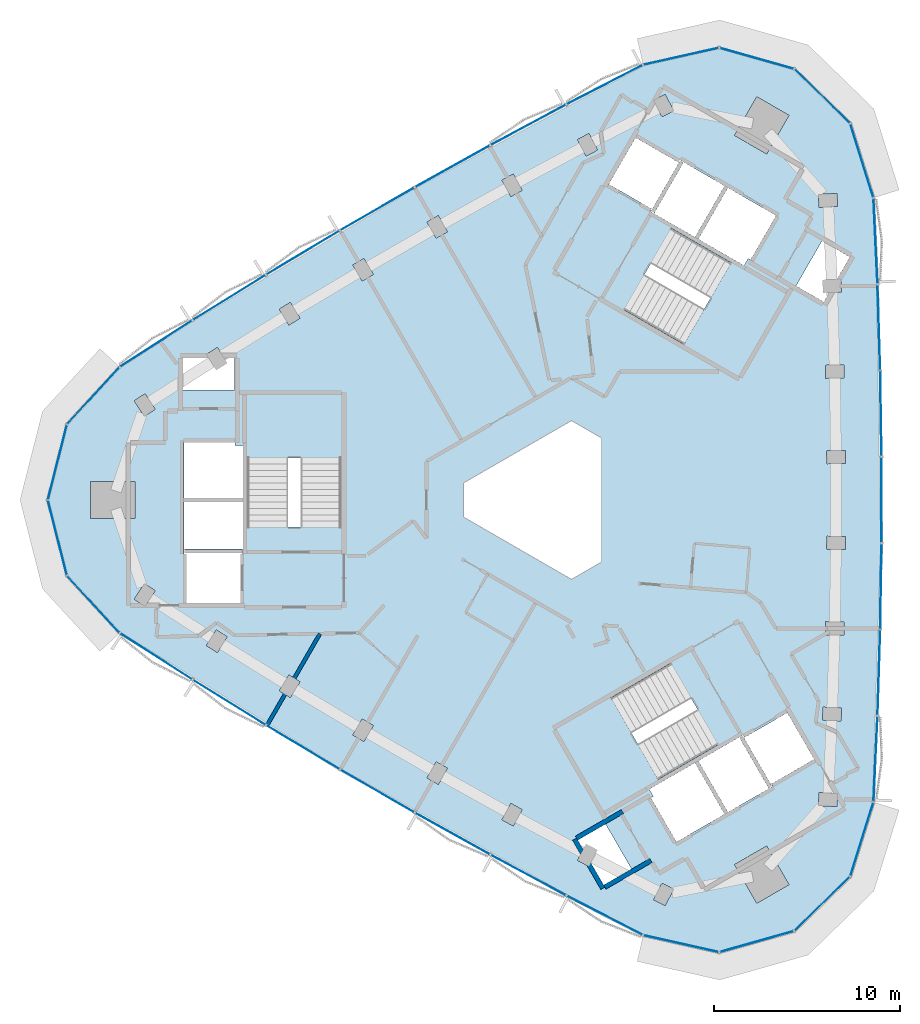
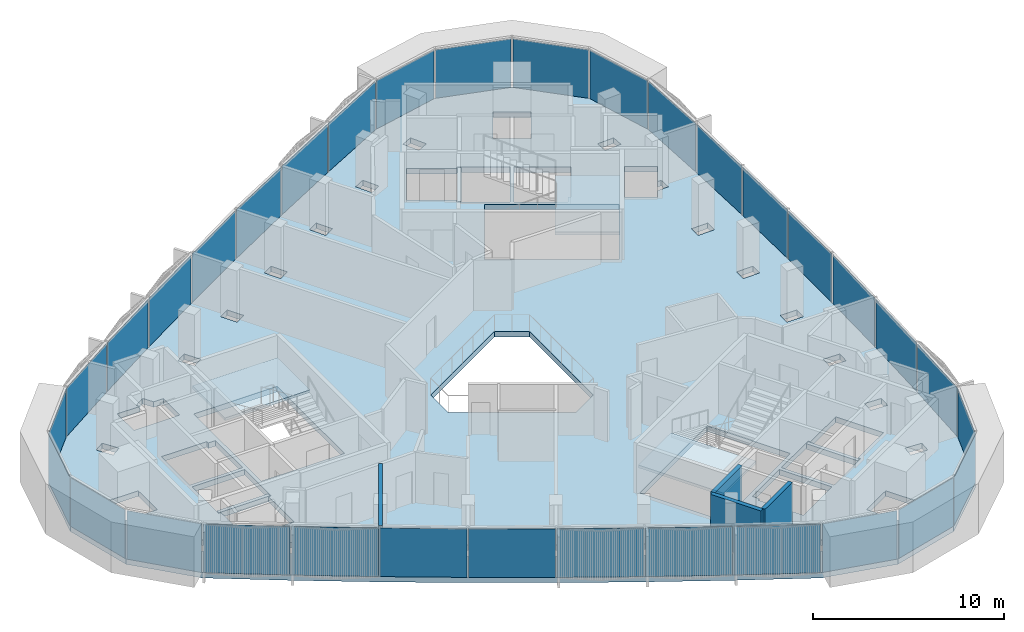
# One storey, part 5 of 12: 33 plates, 4 slabs, 4 walls, 6 elements without a shape of their own.
"""IFC4 building model written with IfcOpenShell, lengths in metres."""

from ifc_helpers import new_model, si_unit, direction, frame, frame_2d, origin, origin_2d, place, context, subcontext, project, spatial, polyline, rectangle, outline, extrude, material, layer, layer_set, type_object, element, aggregate, save


model = new_model("IFC4")

# Units and contexts
model_context = context("Model", 3, precision=1e-05, world=origin(), true_north=direction((0.0, 1.0)))
body_context = subcontext(model_context, "Body", "Model", "MODEL_VIEW")
ifc_project = project(units=[si_unit("LENGTHUNIT", "METRE"), si_unit("AREAUNIT", "SQUARE_METRE"), si_unit("VOLUMEUNIT", "CUBIC_METRE"), si_unit("PLANEANGLEUNIT", "RADIAN"), si_unit("MASSUNIT", "GRAM", prefix="KILO")], contexts=[model_context])

# Site, building, storey
site_placement = place(None, origin())
site = spatial("IfcSite", under=ifc_project, at=site_placement, CompositionType="ELEMENT")
building_placement = place(site_placement, origin())
building = spatial("IfcBuilding", under=site, at=building_placement, Name="Tamra Quay Hotel Tower", CompositionType="ELEMENT")
storey_placement = place(building_placement, frame((0.0, 0.0, 280.199951171875)))
storey = spatial("IfcBuildingStorey", under=building, at=storey_placement, Name="L71", CompositionType="ELEMENT", Elevation=280.199951171875)

# Stair, slab
ifc_material_1 = material(Name="Exit stair 2200 24 risers 150.0 going 342")
stair_type = type_object("IfcStairType", Name="Exit stair 2200 24 risers 150.0 going 342", PredefinedType="HALF_TURN_STAIR", material=ifc_material_1)
stair_1_placement = place(storey_placement, origin())
stair_1 = element("IfcStair", 1, at=stair_1_placement, inside=storey, type_object=stair_type, Name="L71 Exit stair ST3", PredefinedType="HALF_TURN_STAIR")
ifc_material_2 = material(Name="Concrete M70", Category="concrete")
ifc_layer_1 = layer(ifc_material_2, 0.175048828125)
ifc_layer_set_1 = layer_set([ifc_layer_1], Name="Concrete M70 stair landing 180")
slab_type_1 = type_object("IfcSlabType", Name="Concrete M70 stair landing 180", PredefinedType="LANDING", material=ifc_layer_set_1)
slab_1_placement = place(storey_placement, frame((0.0, 0.0, 1.625)))
slab_1 = element("IfcSlab", 2, at=slab_1_placement, type_object=slab_type_1, Name="ST3 landing 1", PredefinedType="LANDING", context=body_context, shape_type="SweptSolid", body=[
    extrude(outline(polyline([(-10.932373046875, 2.261962890625), (-10.932373046875, 5.679931640625), (-16.09130859375, 5.679931640625), (-16.09130859375, 2.261962890625), (-10.932373046875, 2.261962890625)])), origin(), (0.0, 0.0, 1.0), 0.175048828125),
])
aggregate(stair_1, [slab_1])

stair_2_placement = place(storey_placement, origin())
stair_2 = element("IfcStair", 3, at=stair_2_placement, inside=storey, type_object=stair_type, Name="L71 Exit stair ST1", PredefinedType="HALF_TURN_STAIR")
slab_2_placement = place(storey_placement, frame((0.0, 0.0, 1.625)))
slab_2 = element("IfcSlab", 4, at=slab_2_placement, type_object=slab_type_1, Name="ST1 landing 1", PredefinedType="LANDING", context=body_context, shape_type="SweptSolid", body=[
    extrude(outline(polyline([(7.425048828125, 8.336669921875), (10.385009765625, 6.627685546875), (12.964599609375, 11.095458984375), (10.00439453125, 12.804443359375), (7.425048828125, 8.336669921875)])), origin(), (0.0, 0.0, 1.0), 0.175048828125),
])
aggregate(stair_2, [slab_2])

stair_3_placement = place(storey_placement, origin())
stair_3 = element("IfcStair", 5, at=stair_3_placement, inside=storey, type_object=stair_type, Name="L71 Exit stair ST2", PredefinedType="HALF_TURN_STAIR")
slab_3_placement = place(storey_placement, frame((0.0, 0.0, 1.625)))
slab_3 = element("IfcSlab", 6, at=slab_3_placement, type_object=slab_type_1, Name="ST2 landing 1", PredefinedType="LANDING", context=body_context, shape_type="SweptSolid", body=[
    extrude(outline(polyline([(3.50732421875, -10.5986328125), (0.547119140625, -12.3076171875), (3.126708984375, -16.775390625), (6.086669921875, -15.06640625), (3.50732421875, -10.5986328125)])), origin(), (0.0, 0.0, 1.0), 0.175048828125),
])
aggregate(stair_3, [slab_3])

# Slab
ifc_material_3 = material(Name="Concrete M60", Category="concrete")
ifc_layer_2 = layer(ifc_material_3, 0.35009765625)
ifc_layer_set_2 = layer_set([ifc_layer_2], Name="FLOOR SLAB PT 350")
slab_type_2 = type_object("IfcSlabType", Name="FLOOR SLAB PT 350", PredefinedType="FLOOR", material=ifc_layer_set_2)
slab_4_placement = place(storey_placement, frame((0.0, 0.0, -0.349853515625)))
element("IfcSlab", 7, at=slab_4_placement, inside=storey, type_object=slab_type_2, Name="SLAB-L71", PredefinedType="FLOOR", context=body_context, shape_type="SweptSolid", body=[
    extrude(outline(polyline([(17.8662109375, 11.60986328125), (18.011474609375, 6.968017578125), (18.083984375, 2.322998046875), (18.083984375, -2.322998046875), (18.011474609375, -6.968017578125), (17.8662109375, -11.60986328125), (17.648681640625, -16.25146484375), (16.39599609375, -20.2587890625), (13.38671875, -23.186279296875), (9.346435546875, -24.32861328125), (5.249755859375, -23.409912109375), (1.121337890625, -21.277587890625), (-2.97119140625, -19.08251953125), (-7.0302734375, -16.82275390625), (-11.0537109375, -14.499755859375), (-15.040283203125, -12.1142578125), (-18.98779296875, -9.667724609375), (-22.898681640625, -7.15869140625), (-25.742431640625, -4.070068359375), (-26.7734375, 0.0), (-25.742431640625, 4.070068359375), (-22.898681640625, 7.15869140625), (-18.98779296875, 9.667724609375), (-15.040283203125, 12.1142578125), (-11.0537109375, 14.499755859375), (-7.0302734375, 16.82275390625), (-2.97119140625, 19.08251953125), (1.121337890625, 21.277587890625), (5.249755859375, 23.409912109375), (9.346435546875, 24.32861328125), (13.38671875, 23.186279296875), (16.39599609375, 20.2587890625), (17.648681640625, 16.25146484375), (17.8662109375, 11.60986328125)]), holes=[polyline([(-10.3671875, -12.641357421875), (-9.763671875, -12.99609375), (-9.2568359375, -12.13427734375), (-9.8603515625, -11.779296875), (-10.3671875, -12.641357421875)]), polyline([(-14.324462890625, -10.26708984375), (-13.7265625, -10.63134765625), (-13.206298828125, -9.77734375), (-13.803955078125, -9.4130859375), (-14.324462890625, -10.26708984375)]), polyline([(-18.244140625, -7.831298828125), (-17.652099609375, -8.20458984375), (-17.118896484375, -7.358642578125), (-17.7109375, -6.9853515625), (-18.244140625, -7.831298828125)]), polyline([(-21.57861328125, -4.497314453125), (-22.125244140625, -5.33447265625), (-21.539306640625, -5.71728515625), (-20.992431640625, -4.880126953125), (-21.57861328125, -4.497314453125)]), polyline([(-16.3173828125, -2.85498046875), (-19.4072265625, -2.85498046875), (-19.4072265625, -2.89306640625), (-19.307373046875, -2.89306640625), (-19.307373046875, -5.544921875), (-16.417236328125, -5.544921875), (-16.417236328125, -2.89306640625), (-16.3173828125, -2.89306640625), (-16.3173828125, -2.85498046875)]), polyline([(-19.417236328125, -2.64501953125), (-16.307373046875, -2.64501953125), (-16.307373046875, -2.89306640625), (-16.26708984375, -2.89306640625), (-16.26708984375, -0.10498046875), (-19.45751953125, -0.10498046875), (-19.45751953125, -2.89306640625), (-19.417236328125, -2.89306640625), (-19.417236328125, -2.64501953125)]), polyline([(-24.473388671875, 1.0), (-24.473388671875, -1.0), (-22.073486328125, -1.0), (-22.073486328125, 1.0), (-24.473388671875, 1.0)]), polyline([(-16.707275390625, 2.945068359375), (-16.707275390625, 3.09521484375), (-19.45751953125, 3.09521484375), (-19.45751953125, 0.10498046875), (-16.26708984375, 0.10498046875), (-16.26708984375, 2.945068359375), (-16.707275390625, 2.945068359375)]), polyline([(-16.036376953125, -1.455078125), (-10.9873046875, -1.455078125), (-10.9873046875, 5.625), (-16.036376953125, 5.625), (-16.036376953125, -1.455078125)]), polyline([(-20.992431640625, 4.880126953125), (-21.539306640625, 5.71728515625), (-22.125244140625, 5.33447265625), (-21.57861328125, 4.497314453125), (-20.992431640625, 4.880126953125)]), polyline([(-17.29931640625, 7.64501953125), (-17.652099609375, 8.20458984375), (-18.244140625, 7.831298828125), (-18.126708984375, 7.64501953125), (-19.50732421875, 7.64501953125), (-19.50732421875, 5.9150390625), (-16.71728515625, 5.9150390625), (-16.71728515625, 7.64501953125), (-17.29931640625, 7.64501953125)]), polyline([(-13.7265625, 10.63134765625), (-14.324462890625, 10.26708984375), (-13.803955078125, 9.4130859375), (-13.206298828125, 9.77734375), (-13.7265625, 10.63134765625)]), polyline([(-9.2568359375, 12.13427734375), (-9.763671875, 12.99609375), (-10.3671875, 12.641357421875), (-9.8603515625, 11.779296875), (-9.2568359375, 12.13427734375)]), polyline([(-5.271240234375, 14.428955078125), (-5.764404296875, 15.298828125), (-6.373291015625, 14.95361328125), (-5.880126953125, 14.083740234375), (-5.271240234375, 14.428955078125)]), polyline([(5.818359375, -21.51220703125), (6.44287109375, -21.828369140625), (6.89453125, -20.936279296875), (6.27001953125, -20.6201171875), (5.818359375, -21.51220703125)]), polyline([(3.236083984375, -17.43505859375), (1.73779296875, -18.300048828125), (2.02880859375, -18.80419921875), (1.720703125, -19.389404296875), (2.33984375, -19.715576171875), (2.442626953125, -19.520751953125), (3.1328125, -20.71630859375), (4.631103515625, -19.851318359375), (3.236083984375, -17.43505859375)]), polyline([(-2.34375, -17.203369140625), (-1.7294921875, -17.538818359375), (-1.25, -16.6611328125), (-1.864501953125, -16.32568359375), (-2.34375, -17.203369140625)]), polyline([(5.5830078125, -15.560302734375), (5.80322265625, -15.94140625), (5.673095703125, -16.0166015625), (7.04833984375, -18.398193359375), (9.6376953125, -16.903076171875), (8.042724609375, -14.14013671875), (5.5830078125, -15.560302734375)]), polyline([(12.214111328125, -15.369384765625), (11.999267578125, -15.493408203125), (10.4443359375, -12.800048828125), (10.6591796875, -12.676025390625), (10.63916015625, -12.64111328125), (8.224609375, -14.03515625), (9.819580078125, -16.798095703125), (12.234130859375, -15.404052734375), (12.214111328125, -15.369384765625)]), polyline([(-6.373291015625, -14.95361328125), (-5.764404296875, -15.298828125), (-5.271240234375, -14.428955078125), (-5.880126953125, -14.083740234375), (-6.373291015625, -14.95361328125)]), polyline([(6.75390625, -8.78759765625), (0.622314453125, -12.32763671875), (3.146728515625, -16.7001953125), (9.2783203125, -13.160400390625), (6.75390625, -8.78759765625)]), polyline([(-4.39990234375, 0.923828125), (-4.39990234375, -0.923828125), (1.39990234375, -4.2724609375), (3.0, -3.3486328125), (3.0, 3.3486328125), (1.39990234375, 4.2724609375), (-4.39990234375, 0.923828125)]), polyline([(6.758056640625, 14.615478515625), (4.2333984375, 10.242919921875), (10.364990234375, 6.702880859375), (12.889404296875, 11.075439453125), (6.758056640625, 14.615478515625)]), polyline([(7.203125, 18.262451171875), (7.41796875, 18.138427734375), (5.863037109375, 15.445068359375), (5.648193359375, 15.569091796875), (5.628173828125, 15.5341796875), (8.04248046875, 14.140380859375), (9.6376953125, 16.903076171875), (7.22314453125, 18.297119140625), (7.203125, 18.262451171875)]), polyline([(-1.7294921875, 17.538818359375), (-2.34375, 17.203369140625), (-1.864501953125, 16.32568359375), (-1.25, 16.6611328125), (-1.7294921875, 17.538818359375)]), polyline([(5.68603515625, 15.55859375), (7.231201171875, 18.234619140625), (7.1982421875, 18.253662109375), (7.148193359375, 18.1669921875), (4.8515625, 19.4931640625), (3.406494140625, 16.990234375), (5.703125, 15.664306640625), (5.6533203125, 15.57763671875), (5.68603515625, 15.55859375)]), polyline([(2.805908203125, 18.830810546875), (2.33984375, 19.715576171875), (1.720703125, 19.389404296875), (2.186767578125, 18.504638671875), (2.805908203125, 18.830810546875)]), polyline([(6.44287109375, 21.828369140625), (5.818359375, 21.51220703125), (6.27001953125, 20.6201171875), (6.89453125, 20.936279296875), (6.44287109375, 21.828369140625)]), polyline([(10.170654296875, -19.6162109375), (11.37060546875, -21.694580078125), (13.102783203125, -20.694580078125), (11.902587890625, -18.6162109375), (10.170654296875, -19.6162109375)]), polyline([(14.68408203125, -16.43896484375), (15.6826171875, -16.493896484375), (15.720947265625, -15.794921875), (14.722412109375, -15.739990234375), (14.68408203125, -16.43896484375)]), polyline([(12.176025390625, -15.379638671875), (12.208984375, -15.360595703125), (12.1591796875, -15.274169921875), (14.455810546875, -13.947998046875), (13.0107421875, -11.4453125), (10.714111328125, -12.771240234375), (10.6640625, -12.6845703125), (10.631103515625, -12.70361328125), (12.176025390625, -15.379638671875)]), polyline([(15.904296875, -11.88427734375), (15.931396484375, -11.184814453125), (14.93212890625, -11.14599609375), (14.905029296875, -11.845703125), (15.904296875, -11.88427734375)]), polyline([(16.0537109375, -7.271728515625), (16.0703125, -6.572021484375), (15.070556640625, -6.548095703125), (15.053955078125, -7.247802734375), (16.0537109375, -7.271728515625)]), polyline([(15.13134765625, -2.6494140625), (16.13134765625, -2.657470703125), (16.136962890625, -1.95751953125), (15.136962890625, -1.94970703125), (15.13134765625, -2.6494140625)]), polyline([(15.136962890625, 1.94970703125), (16.136962890625, 1.95751953125), (16.13134765625, 2.657470703125), (15.13134765625, 2.6494140625), (15.136962890625, 1.94970703125)]), polyline([(16.0703125, 6.572021484375), (16.0537109375, 7.271728515625), (15.053955078125, 7.247802734375), (15.070556640625, 6.548095703125), (16.0703125, 6.572021484375)]), polyline([(13.481201171875, 11.52001953125), (14.9794921875, 10.655029296875), (15.2705078125, 11.1591796875), (15.931396484375, 11.184814453125), (15.904296875, 11.88427734375), (15.68408203125, 11.875732421875), (16.37451171875, 13.0712890625), (14.876220703125, 13.936279296875), (13.481201171875, 11.52001953125)]), polyline([(10.904052734375, 12.996337890625), (11.0341796875, 12.92138671875), (12.4091796875, 15.302978515625), (9.819580078125, 16.798095703125), (8.224365234375, 14.035400390625), (10.68408203125, 12.615234375), (10.904052734375, 12.996337890625)]), polyline([(14.722412109375, 15.739990234375), (15.720947265625, 15.794921875), (15.6826171875, 16.493896484375), (14.68408203125, 16.43896484375), (14.722412109375, 15.739990234375)]), polyline([(11.902587890625, 18.6162109375), (13.102783203125, 20.694580078125), (11.37060546875, 21.694580078125), (10.170654296875, 19.6162109375), (11.902587890625, 18.6162109375)])]), origin(), (0.0, 0.0, 1.0), 0.349853515625),
])

# Curtain wall, plates
ifc_material_4 = material(Name="Aluminium 6063 anodised dark grey", Category="aluminium")
curtain_wall_type_1 = type_object("IfcCurtainWallType", Name="CW1 CURTAIN WALL", PredefinedType="NOTDEFINED", material=ifc_material_4)
curtain_wall_1_placement = place(storey_placement, origin())
curtain_wall_1 = element("IfcCurtainWall", 8, at=curtain_wall_1_placement, inside=storey, type_object=curtain_wall_type_1, Name="CW1 east face L71", PredefinedType="NOTDEFINED")
ifc_material_5 = material(Name="Glass clear laminated low-iron", Category="glass")
ifc_layer_3 = layer(ifc_material_5, 0.02587890625)
ifc_layer_set_3 = layer_set([ifc_layer_3], Name="GLASS PANEL CW1 Z6")
plate_type_1 = type_object("IfcPlateType", Name="GLASS PANEL CW1 Z6", PredefinedType="CURTAIN_PANEL", material=ifc_layer_set_3)
plate_1_placement = place(storey_placement, frame((17.757568359375, -13.9306640625, 0.0), z_axis=(0.0, 0.0, 1.0), x_axis=(0.046821223335, 0.998903285131, 0.0)))
plate_1 = element("IfcPlate", 9, at=plate_1_placement, type_object=plate_type_1, Name="CW1 glass L71.E.1", PredefinedType="CURTAIN_PANEL", context=body_context, shape_type="SweptSolid", body=[
    extrude(rectangle(XDim=4.546630859375, YDim=0.02587890625, at=origin_2d()), origin(), (0.0, 0.0, 1.0), 3.110107421875),
])
plate_2_placement = place(storey_placement, frame((17.93896484375, -9.2890625, 0.0), z_axis=(0.0, 0.0, 1.0), x_axis=(0.03124175898, 0.999511857106, 0.0)))
plate_2 = element("IfcPlate", 10, at=plate_2_placement, type_object=plate_type_1, Name="CW1 glass L71.E.2", PredefinedType="CURTAIN_PANEL", context=body_context, shape_type="SweptSolid", body=[
    extrude(rectangle(XDim=4.544189453125, YDim=0.02587890625, at=origin_2d()), origin(), (0.0, 0.0, 1.0), 3.110107421875),
])
plate_3_placement = place(storey_placement, frame((18.0478515625, -4.6455078125, 0.0), z_axis=(0.0, 0.0, 1.0), x_axis=(0.015632917878, 0.999877798473, 0.0)))
plate_3 = element("IfcPlate", 11, at=plate_3_placement, type_object=plate_type_1, Name="CW1 glass L71.E.3", PredefinedType="CURTAIN_PANEL", context=body_context, shape_type="SweptSolid", body=[
    extrude(rectangle(XDim=4.5458984375, YDim=0.02587890625, at=origin_2d()), origin(), (0.0, 0.0, 1.0), 3.110107421875),
])
plate_4_placement = place(storey_placement, frame((18.083984375, 0.0, 0.0), z_axis=(0.0, 0.0, 1.0), x_axis=(0.0, 1.0, 0.0)))
plate_4 = element("IfcPlate", 12, at=plate_4_placement, type_object=plate_type_1, Name="CW1 glass L71.E.4", PredefinedType="CURTAIN_PANEL", context=body_context, shape_type="SweptSolid", body=[
    extrude(rectangle(XDim=4.5458984375, YDim=0.02587890625, at=origin_2d()), origin(), (0.0, 0.0, 1.0), 3.110107421875),
])
plate_5_placement = place(storey_placement, frame((18.0478515625, 4.6455078125, 0.0), z_axis=(0.0, 0.0, 1.0), x_axis=(-0.015632917878, 0.999877798473, 0.0)))
plate_5 = element("IfcPlate", 13, at=plate_5_placement, type_object=plate_type_1, Name="CW1 glass L71.E.5", PredefinedType="CURTAIN_PANEL", context=body_context, shape_type="SweptSolid", body=[
    extrude(rectangle(XDim=4.5458984375, YDim=0.02587890625, at=origin_2d()), origin(), (0.0, 0.0, 1.0), 3.110107421875),
])
plate_6_placement = place(storey_placement, frame((17.93896484375, 9.2890625, 0.0), z_axis=(0.0, 0.0, 1.0), x_axis=(-0.03124175898, 0.999511857106, 0.0)))
plate_6 = element("IfcPlate", 14, at=plate_6_placement, type_object=plate_type_1, Name="CW1 glass L71.E.6", PredefinedType="CURTAIN_PANEL", context=body_context, shape_type="SweptSolid", body=[
    extrude(rectangle(XDim=4.544189453125, YDim=0.02587890625, at=origin_2d()), origin(), (0.0, 0.0, 1.0), 3.110107421875),
])
plate_7_placement = place(storey_placement, frame((17.757568359375, 13.9306640625, 0.0), z_axis=(0.0, 0.0, 1.0), x_axis=(-0.046821223335, 0.998903285131, 0.0)))
plate_7 = element("IfcPlate", 15, at=plate_7_placement, type_object=plate_type_1, Name="CW1 glass L71.E.7", PredefinedType="CURTAIN_PANEL", context=body_context, shape_type="SweptSolid", body=[
    extrude(rectangle(XDim=4.546630859375, YDim=0.02587890625, at=origin_2d()), origin(), (0.0, 0.0, 1.0), 3.110107421875),
])
plate_8_placement = place(storey_placement, frame((17.0224609375, 18.255126953125, 0.0), z_axis=(0.0, 0.0, 1.0), x_axis=(-0.29839239288, 0.954443282689, 0.0)))
plate_8 = element("IfcPlate", 16, at=plate_8_placement, type_object=plate_type_1, Name="CW1 glass L71.E.8", PredefinedType="CURTAIN_PANEL", context=body_context, shape_type="SweptSolid", body=[
    extrude(rectangle(XDim=4.098388671875, YDim=0.02587890625, at=origin_2d()), origin(), (0.0, 0.0, 1.0), 3.110107421875),
])
plate_9_placement = place(storey_placement, frame((14.891357421875, 21.72265625, 0.0), z_axis=(0.0, 0.0, 1.0), x_axis=(-0.716752699854, 0.69732744622, 0.0)))
plate_9 = element("IfcPlate", 17, at=plate_9_placement, type_object=plate_type_1, Name="CW1 glass L71.E.9", PredefinedType="CURTAIN_PANEL", context=body_context, shape_type="SweptSolid", body=[
    extrude(rectangle(XDim=4.098388671875, YDim=0.02587890625, at=origin_2d()), origin(), (0.0, 0.0, 1.0), 3.110107421875),
])
plate_10_placement = place(storey_placement, frame((11.36669921875, 23.757568359375, 0.0), z_axis=(0.0, 0.0, 1.0), x_axis=(-0.96227963311, 0.272062323195, 0.0)))
plate_10 = element("IfcPlate", 18, at=plate_10_placement, type_object=plate_type_1, Name="CW1 glass L71.E.10", PredefinedType="CURTAIN_PANEL", context=body_context, shape_type="SweptSolid", body=[
    extrude(rectangle(XDim=4.098388671875, YDim=0.02587890625, at=origin_2d()), origin(), (0.0, 0.0, 1.0), 3.110107421875),
])
plate_11_placement = place(storey_placement, frame((7.298095703125, 23.869384765625, 0.0), z_axis=(0.0, 0.0, 1.0), x_axis=(-0.975768325721, -0.218806248814, 0.0)))
plate_11 = element("IfcPlate", 19, at=plate_11_placement, type_object=plate_type_1, Name="CW1 glass L71.E.11", PredefinedType="CURTAIN_PANEL", context=body_context, shape_type="SweptSolid", body=[
    extrude(rectangle(XDim=4.098388671875, YDim=0.02587890625, at=origin_2d()), origin(), (0.0, 0.0, 1.0), 3.110107421875),
])
aggregate(curtain_wall_1, [plate_1, plate_2, plate_3, plate_4, plate_5, plate_6, plate_7, plate_8, plate_9, plate_10, plate_11])

curtain_wall_type_2 = type_object("IfcCurtainWallType", Name="CW2 CURTAIN WALL", PredefinedType="NOTDEFINED", material=ifc_material_4)
curtain_wall_2_placement = place(storey_placement, origin())
curtain_wall_2 = element("IfcCurtainWall", 20, at=curtain_wall_2_placement, inside=storey, type_object=curtain_wall_type_2, Name="CW2 north-west face L71", PredefinedType="NOTDEFINED")
ifc_layer_4 = layer(ifc_material_5, 0.02587890625)
ifc_layer_set_4 = layer_set([ifc_layer_4], Name="GLASS PANEL CW2 Z6")
plate_type_2 = type_object("IfcPlateType", Name="GLASS PANEL CW2 Z6", PredefinedType="CURTAIN_PANEL", material=ifc_layer_set_4)
plate_12_placement = place(storey_placement, frame((3.185546875, 22.34375, 0.0), z_axis=(0.0, 0.0, 1.0), x_axis=(-0.888486232515, -0.458903273721, 0.0)))
plate_12 = element("IfcPlate", 21, at=plate_12_placement, type_object=plate_type_2, Name="CW2 glass L71.NW.1", PredefinedType="CURTAIN_PANEL", context=body_context, shape_type="SweptSolid", body=[
    extrude(rectangle(XDim=4.546630859375, YDim=0.02587890625, at=origin_2d()), origin(), (0.0, 0.0, 1.0), 3.110107421875),
])
plate_13_placement = place(storey_placement, frame((-0.9248046875, 20.18017578125, 0.0), z_axis=(0.0, 0.0, 1.0), x_axis=(-0.881223539128, -0.472699771618, 0.0)))
plate_13 = element("IfcPlate", 22, at=plate_13_placement, type_object=plate_type_2, Name="CW2 glass L71.NW.2", PredefinedType="CURTAIN_PANEL", context=body_context, shape_type="SweptSolid", body=[
    extrude(rectangle(XDim=4.544189453125, YDim=0.02587890625, at=origin_2d()), origin(), (0.0, 0.0, 1.0), 3.110107421875),
])
plate_14_placement = place(storey_placement, frame((-5.000732421875, 17.95263671875, 0.0), z_axis=(0.0, 0.0, 1.0), x_axis=(-0.873736033097, -0.486400395218, 0.0)))
plate_14 = element("IfcPlate", 23, at=plate_14_placement, type_object=plate_type_2, Name="CW2 glass L71.NW.3", PredefinedType="CURTAIN_PANEL", context=body_context, shape_type="SweptSolid", body=[
    extrude(rectangle(XDim=4.5458984375, YDim=0.02587890625, at=origin_2d()), origin(), (0.0, 0.0, 1.0), 3.110107421875),
])
plate_15_placement = place(storey_placement, frame((-9.0419921875, 15.661376953125, 0.0), z_axis=(0.0, 0.0, 1.0), x_axis=(-0.866025403784, -0.5, 0.0)))
plate_15 = element("IfcPlate", 24, at=plate_15_placement, type_object=plate_type_2, Name="CW2 glass L71.NW.4", PredefinedType="CURTAIN_PANEL", context=body_context, shape_type="SweptSolid", body=[
    extrude(rectangle(XDim=4.5458984375, YDim=0.02587890625, at=origin_2d()), origin(), (0.0, 0.0, 1.0), 3.110107421875),
])
plate_16_placement = place(storey_placement, frame((-13.047119140625, 13.30712890625, 0.0), z_axis=(0.0, 0.0, 1.0), x_axis=(-0.858103115218, -0.513477403254, 0.0)))
plate_16 = element("IfcPlate", 25, at=plate_16_placement, type_object=plate_type_2, Name="CW2 glass L71.NW.5", PredefinedType="CURTAIN_PANEL", context=body_context, shape_type="SweptSolid", body=[
    extrude(rectangle(XDim=4.5458984375, YDim=0.02587890625, at=origin_2d()), origin(), (0.0, 0.0, 1.0), 3.110107421875),
])
plate_17_placement = place(storey_placement, frame((-17.013916015625, 10.89111328125, 0.0), z_axis=(0.0, 0.0, 1.0), x_axis=(-0.849981780148, -0.526812085489, 0.0)))
plate_17 = element("IfcPlate", 26, at=plate_17_placement, type_object=plate_type_2, Name="CW2 glass L71.NW.6", PredefinedType="CURTAIN_PANEL", context=body_context, shape_type="SweptSolid", body=[
    extrude(rectangle(XDim=4.544189453125, YDim=0.02587890625, at=origin_2d()), origin(), (0.0, 0.0, 1.0), 3.110107421875),
])
plate_18_placement = place(storey_placement, frame((-20.943115234375, 8.4130859375, 0.0), z_axis=(0.0, 0.0, 1.0), x_axis=(-0.841665009179, -0.54000001141, 0.0)))
plate_18 = element("IfcPlate", 27, at=plate_18_placement, type_object=plate_type_2, Name="CW2 glass L71.NW.7", PredefinedType="CURTAIN_PANEL", context=body_context, shape_type="SweptSolid", body=[
    extrude(rectangle(XDim=4.546630859375, YDim=0.02587890625, at=origin_2d()), origin(), (0.0, 0.0, 1.0), 3.110107421875),
])
plate_19_placement = place(storey_placement, frame((-24.320556640625, 5.6142578125, 0.0), z_axis=(0.0, 0.0, 1.0), x_axis=(-0.67737593284, -0.735637033875, 0.0)))
plate_19 = element("IfcPlate", 28, at=plate_19_placement, type_object=plate_type_2, Name="CW2 glass L71.NW.8", PredefinedType="CURTAIN_PANEL", context=body_context, shape_type="SweptSolid", body=[
    extrude(rectangle(XDim=4.098388671875, YDim=0.02587890625, at=origin_2d()), origin(), (0.0, 0.0, 1.0), 3.110107421875),
])
plate_20_placement = place(storey_placement, frame((-26.258056640625, 2.034912109375, 0.0), z_axis=(0.0, 0.0, 1.0), x_axis=(-0.245526933255, -0.969389769415, 0.0)))
plate_20 = element("IfcPlate", 29, at=plate_20_placement, type_object=plate_type_2, Name="CW2 glass L71.NW.9", PredefinedType="CURTAIN_PANEL", context=body_context, shape_type="SweptSolid", body=[
    extrude(rectangle(XDim=4.098388671875, YDim=0.02587890625, at=origin_2d()), origin(), (0.0, 0.0, 1.0), 3.110107421875),
])
plate_21_placement = place(storey_placement, frame((-26.258056640625, -2.034912109375, 0.0), z_axis=(0.0, 0.0, 1.0), x_axis=(0.245526933255, -0.969389769415, 0.0)))
plate_21 = element("IfcPlate", 30, at=plate_21_placement, type_object=plate_type_2, Name="CW2 glass L71.NW.10", PredefinedType="CURTAIN_PANEL", context=body_context, shape_type="SweptSolid", body=[
    extrude(rectangle(XDim=4.098388671875, YDim=0.02587890625, at=origin_2d()), origin(), (0.0, 0.0, 1.0), 3.110107421875),
])
plate_22_placement = place(storey_placement, frame((-24.320556640625, -5.6142578125, 0.0), z_axis=(0.0, 0.0, 1.0), x_axis=(0.67737593284, -0.735637033875, 0.0)))
plate_22 = element("IfcPlate", 31, at=plate_22_placement, type_object=plate_type_2, Name="CW2 glass L71.NW.11", PredefinedType="CURTAIN_PANEL", context=body_context, shape_type="SweptSolid", body=[
    extrude(rectangle(XDim=4.098388671875, YDim=0.02587890625, at=origin_2d()), origin(), (0.0, 0.0, 1.0), 3.110107421875),
])
aggregate(curtain_wall_2, [plate_12, plate_13, plate_14, plate_15, plate_16, plate_17, plate_18, plate_19, plate_20, plate_21, plate_22])

curtain_wall_type_3 = type_object("IfcCurtainWallType", Name="CW3 CURTAIN WALL", PredefinedType="NOTDEFINED", material=ifc_material_4)
curtain_wall_3_placement = place(storey_placement, origin())
curtain_wall_3 = element("IfcCurtainWall", 32, at=curtain_wall_3_placement, inside=storey, type_object=curtain_wall_type_3, Name="CW3 south-west face L71", PredefinedType="NOTDEFINED")
ifc_layer_5 = layer(ifc_material_5, 0.02587890625)
ifc_layer_set_5 = layer_set([ifc_layer_5], Name="GLASS PANEL CW3 Z6")
plate_type_3 = type_object("IfcPlateType", Name="GLASS PANEL CW3 Z6", PredefinedType="CURTAIN_PANEL", material=ifc_layer_set_5)
plate_23_placement = place(storey_placement, frame((-20.943115234375, -8.4130859375, 0.0), z_axis=(0.0, 0.0, 1.0), x_axis=(0.841665009179, -0.54000001141, 0.0)))
plate_23 = element("IfcPlate", 33, at=plate_23_placement, type_object=plate_type_3, Name="CW3 glass L71.SW.1", PredefinedType="CURTAIN_PANEL", context=body_context, shape_type="SweptSolid", body=[
    extrude(rectangle(XDim=4.546630859375, YDim=0.02587890625, at=origin_2d()), origin(), (0.0, 0.0, 1.0), 3.110107421875),
])
plate_24_placement = place(storey_placement, frame((-17.013916015625, -10.89111328125, 0.0), z_axis=(0.0, 0.0, 1.0), x_axis=(0.849981780148, -0.526812085489, 0.0)))
plate_24 = element("IfcPlate", 34, at=plate_24_placement, type_object=plate_type_3, Name="CW3 glass L71.SW.2", PredefinedType="CURTAIN_PANEL", context=body_context, shape_type="SweptSolid", body=[
    extrude(rectangle(XDim=4.544189453125, YDim=0.02587890625, at=origin_2d()), origin(), (0.0, 0.0, 1.0), 3.110107421875),
])
plate_25_placement = place(storey_placement, frame((-13.047119140625, -13.30712890625, 0.0), z_axis=(0.0, 0.0, 1.0), x_axis=(0.858103115218, -0.513477403254, 0.0)))
plate_25 = element("IfcPlate", 35, at=plate_25_placement, type_object=plate_type_3, Name="CW3 glass L71.SW.3", PredefinedType="CURTAIN_PANEL", context=body_context, shape_type="SweptSolid", body=[
    extrude(rectangle(XDim=4.5458984375, YDim=0.02587890625, at=origin_2d()), origin(), (0.0, 0.0, 1.0), 3.110107421875),
])
plate_26_placement = place(storey_placement, frame((-9.0419921875, -15.661376953125, 0.0), z_axis=(0.0, 0.0, 1.0), x_axis=(0.866025403784, -0.5, 0.0)))
plate_26 = element("IfcPlate", 36, at=plate_26_placement, type_object=plate_type_3, Name="CW3 glass L71.SW.4", PredefinedType="CURTAIN_PANEL", context=body_context, shape_type="SweptSolid", body=[
    extrude(rectangle(XDim=4.5458984375, YDim=0.02587890625, at=origin_2d()), origin(), (0.0, 0.0, 1.0), 3.110107421875),
])
plate_27_placement = place(storey_placement, frame((-5.000732421875, -17.95263671875, 0.0), z_axis=(0.0, 0.0, 1.0), x_axis=(0.873736033097, -0.486400395218, 0.0)))
plate_27 = element("IfcPlate", 37, at=plate_27_placement, type_object=plate_type_3, Name="CW3 glass L71.SW.5", PredefinedType="CURTAIN_PANEL", context=body_context, shape_type="SweptSolid", body=[
    extrude(rectangle(XDim=4.5458984375, YDim=0.02587890625, at=origin_2d()), origin(), (0.0, 0.0, 1.0), 3.110107421875),
])
plate_28_placement = place(storey_placement, frame((-0.9248046875, -20.18017578125, 0.0), z_axis=(0.0, 0.0, 1.0), x_axis=(0.881223539128, -0.472699771618, 0.0)))
plate_28 = element("IfcPlate", 38, at=plate_28_placement, type_object=plate_type_3, Name="CW3 glass L71.SW.6", PredefinedType="CURTAIN_PANEL", context=body_context, shape_type="SweptSolid", body=[
    extrude(rectangle(XDim=4.544189453125, YDim=0.02587890625, at=origin_2d()), origin(), (0.0, 0.0, 1.0), 3.110107421875),
])
plate_29_placement = place(storey_placement, frame((3.185546875, -22.34375, 0.0), z_axis=(0.0, 0.0, 1.0), x_axis=(0.888486232515, -0.458903273721, 0.0)))
plate_29 = element("IfcPlate", 39, at=plate_29_placement, type_object=plate_type_3, Name="CW3 glass L71.SW.7", PredefinedType="CURTAIN_PANEL", context=body_context, shape_type="SweptSolid", body=[
    extrude(rectangle(XDim=4.546630859375, YDim=0.02587890625, at=origin_2d()), origin(), (0.0, 0.0, 1.0), 3.110107421875),
])
plate_30_placement = place(storey_placement, frame((7.298095703125, -23.869384765625, 0.0), z_axis=(0.0, 0.0, 1.0), x_axis=(0.975768325721, -0.218806248814, 0.0)))
plate_30 = element("IfcPlate", 40, at=plate_30_placement, type_object=plate_type_3, Name="CW3 glass L71.SW.8", PredefinedType="CURTAIN_PANEL", context=body_context, shape_type="SweptSolid", body=[
    extrude(rectangle(XDim=4.098388671875, YDim=0.02587890625, at=origin_2d()), origin(), (0.0, 0.0, 1.0), 3.110107421875),
])
plate_31_placement = place(storey_placement, frame((11.36669921875, -23.757568359375, 0.0), z_axis=(0.0, 0.0, 1.0), x_axis=(0.96227963311, 0.272062323195, 0.0)))
plate_31 = element("IfcPlate", 41, at=plate_31_placement, type_object=plate_type_3, Name="CW3 glass L71.SW.9", PredefinedType="CURTAIN_PANEL", context=body_context, shape_type="SweptSolid", body=[
    extrude(rectangle(XDim=4.098388671875, YDim=0.02587890625, at=origin_2d()), origin(), (0.0, 0.0, 1.0), 3.110107421875),
])
plate_32_placement = place(storey_placement, frame((14.891357421875, -21.72265625, 0.0), z_axis=(0.0, 0.0, 1.0), x_axis=(0.716752699854, 0.69732744622, 0.0)))
plate_32 = element("IfcPlate", 42, at=plate_32_placement, type_object=plate_type_3, Name="CW3 glass L71.SW.10", PredefinedType="CURTAIN_PANEL", context=body_context, shape_type="SweptSolid", body=[
    extrude(rectangle(XDim=4.098388671875, YDim=0.02587890625, at=origin_2d()), origin(), (0.0, 0.0, 1.0), 3.110107421875),
])
plate_33_placement = place(storey_placement, frame((17.0224609375, -18.255126953125, 0.0), z_axis=(0.0, 0.0, 1.0), x_axis=(0.29839239288, 0.954443282689, 0.0)))
plate_33 = element("IfcPlate", 43, at=plate_33_placement, type_object=plate_type_3, Name="CW3 glass L71.SW.11", PredefinedType="CURTAIN_PANEL", context=body_context, shape_type="SweptSolid", body=[
    extrude(rectangle(XDim=4.098388671875, YDim=0.02587890625, at=origin_2d()), origin(), (0.0, 0.0, 1.0), 3.110107421875),
])
aggregate(curtain_wall_3, [plate_23, plate_24, plate_25, plate_26, plate_27, plate_28, plate_29, plate_30, plate_31, plate_32, plate_33])

# Walls
ifc_layer_6 = layer(ifc_material_2, 0.25)
ifc_layer_set_6 = layer_set([ifc_layer_6], Name="Concrete M70 core wall 250")
wall_type_1 = type_object("IfcWallType", Name="Concrete M70 core wall 250", PredefinedType="SHEAR", material=ifc_layer_set_6)
wall_1_placement = place(storey_placement, frame((3.085205078125, -20.893798828125, 0.0), z_axis=(0.0, 0.0, 1.0), x_axis=(-0.499978833458, 0.866037623948, 0.0)))
element("IfcWall", 44, at=wall_1_placement, inside=storey, type_object=wall_type_1, Name="CW1", PredefinedType="SHEAR", context=body_context, shape_type="SweptSolid", body=[
    extrude(rectangle(XDim=3.050048828125, YDim=0.25, at=frame_2d((1.52490234375, 0.0))), origin(), (0.0, 0.0, 1.0), 3.25),
])
wall_2_placement = place(storey_placement, frame((1.6689453125, -18.189697265625, 0.0), z_axis=(0.0, 0.0, 1.0), x_axis=(0.866042235819, 0.499970844928, 0.0)))
element("IfcWall", 45, at=wall_2_placement, inside=storey, type_object=wall_type_1, Name="CW1", PredefinedType="SHEAR", context=body_context, shape_type="SweptSolid", body=[
    extrude(rectangle(XDim=2.864501953125, YDim=0.25, at=frame_2d((1.43212890625, 0.0))), origin(), (0.0, 0.0, 1.0), 3.25),
])
wall_3_placement = place(storey_placement, frame((5.6748046875, -19.39892578125, 0.0), z_axis=(0.0, 0.0, 1.0), x_axis=(-0.866026637627, -0.499997862916, 0.0)))
element("IfcWall", 46, at=wall_3_placement, inside=storey, type_object=wall_type_1, Name="CW1", PredefinedType="SHEAR", context=body_context, shape_type="SweptSolid", body=[
    extrude(rectangle(XDim=2.86474609375, YDim=0.25, at=frame_2d((1.432373046875, 0.0))), origin(), (0.0, 0.0, 1.0), 3.25),
])
ifc_material_6 = material(Name="Partition party wall")
ifc_layer_7 = layer(ifc_material_6, 0.199951171875)
ifc_layer_set_7 = layer_set([ifc_layer_7], Name="Partition party wall")
wall_type_2 = type_object("IfcWallType", Name="Partition party wall", PredefinedType="PARTITIONING", material=ifc_layer_set_7)
wall_4_placement = place(storey_placement, frame((-14.9873046875, -12.14013671875, 0.0), z_axis=(0.0, 0.0, 1.0), x_axis=(0.499912336857, 0.866076010208, 0.0)))
element("IfcWall", 47, at=wall_4_placement, inside=storey, type_object=wall_type_2, Name="W-P", PredefinedType="PARTITIONING", context=body_context, shape_type="SweptSolid", body=[
    extrude(rectangle(XDim=5.71337890625, YDim=0.199951171875, at=frame_2d((2.856689453125, 0.0))), origin(), (0.0, 0.0, 1.0), 3.25),
])

save(model, "model.ifc")
